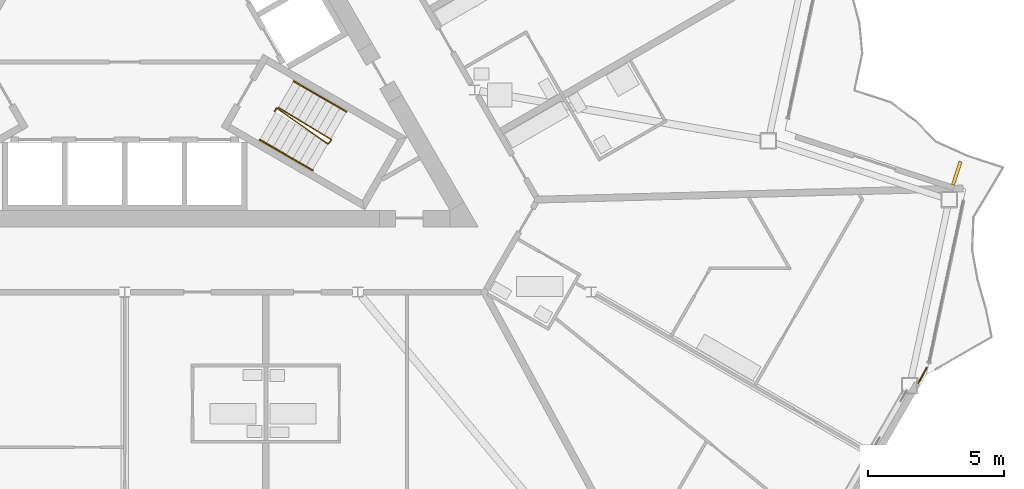
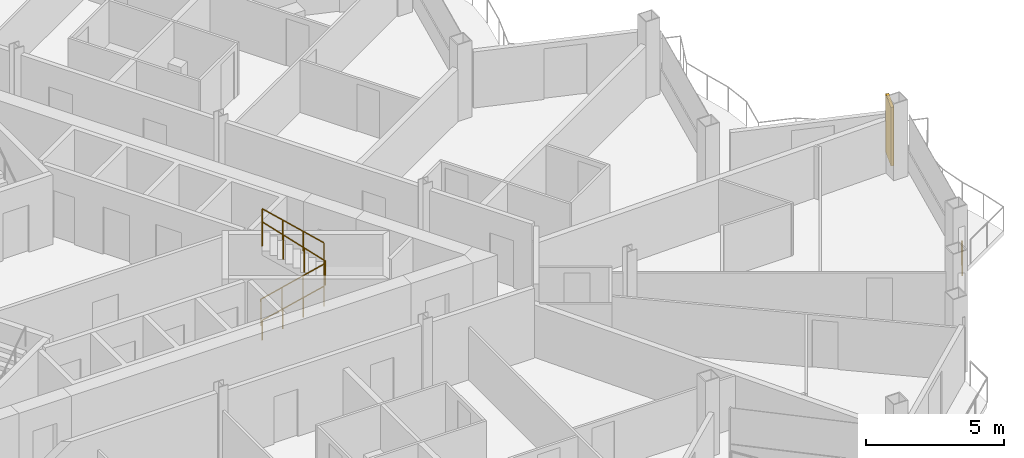
# One storey, part 24 of 28: 4 railings, 1 shading device.
"""IFC4 building model written with IfcOpenShell, lengths in metres."""

from ifc_helpers import new_model, si_unit, direction, frame, origin, origin_2d, place, context, subcontext, project, spatial, rectangle, circle, extrude, material, layer, layer_set, type_object, element, save


model = new_model("IFC4")

# Units and contexts
model_context = context("Model", 3, precision=1e-05, world=origin(), true_north=direction((0.0, 1.0)))
body_context = subcontext(model_context, "Body", "Model", "MODEL_VIEW")
ifc_project = project(units=[si_unit("LENGTHUNIT", "METRE"), si_unit("AREAUNIT", "SQUARE_METRE"), si_unit("VOLUMEUNIT", "CUBIC_METRE"), si_unit("PLANEANGLEUNIT", "RADIAN"), si_unit("MASSUNIT", "GRAM", prefix="KILO")], contexts=[model_context])

# Site, building, storey
site_placement = place(None, origin())
site = spatial("IfcSite", under=ifc_project, at=site_placement, CompositionType="ELEMENT")
building_placement = place(site_placement, origin())
building = spatial("IfcBuilding", under=site, at=building_placement, Name="Cormorant Prow Tower", CompositionType="ELEMENT")
storey_placement = place(building_placement, frame((0.0, 0.0, 305.199951171875)))
storey = spatial("IfcBuildingStorey", under=building, at=storey_placement, Name="L66", CompositionType="ELEMENT", Elevation=305.199951171875)

# Railings
ifc_material_1 = material(Name="Stainless steel", Category="steel")
railing_type_1 = type_object("IfcRailingType", Name="Facade corner guard 1100", PredefinedType="GUARDRAIL", material=ifc_material_1)
railing_1_placement = place(storey_placement, frame((29.5, -12.68505859375, 0.0)))
element("IfcRailing", 1, at=railing_1_placement, inside=storey, type_object=railing_type_1, Name="Facade corner guard L66 3", PredefinedType="GUARDRAIL", context=body_context, shape_type="SweptSolid", body=[
    extrude(circle(Radius=0.02392578125, at=origin_2d()), frame((0.0, 0.0, 1.076171875), z_axis=(-0.47945895364, -0.877564306347, 0.0), x_axis=(0.877564306347, -0.47945895364, 0.0)), (0.0, 0.0, 1.0), 0.648193359375),
    extrude(circle(Radius=0.02099609375, at=origin_2d()), origin(), (0.0, 0.0, 1.0), 1.052001953125),
    extrude(circle(Radius=0.02099609375, at=origin_2d()), frame((-0.310791015625, -0.56884765625, 0.0)), (0.0, 0.0, 1.0), 1.052001953125),
])
ifc_material_2 = material(Name="Stainless steel", Category="steel")
railing_type_2 = type_object("IfcRailingType", Name="Stair guard 1100", PredefinedType="GUARDRAIL", material=ifc_material_2)
railing_2_placement = place(storey_placement, frame((5.510009765625, -3.267822265625, 0.0)))
element("IfcRailing", 2, at=railing_2_placement, inside=storey, type_object=railing_type_2, Name="L66 ST2 stair guard 1", PredefinedType="GUARDRAIL", context=body_context, shape_type="SweptSolid", body=[
    extrude(circle(Radius=0.02392578125, at=origin_2d()), frame((0.0, 0.0, 1.076171875), z_axis=(0.501036270542, 0.865426285481, 0.0), x_axis=(-0.865426285481, 0.501036270542, 0.0)), (0.0, 0.0, 1.0), 0.150146484375),
    extrude(circle(Radius=0.02392578125, at=origin_2d()), frame((0.0751953125, 0.1298828125, 1.076171875), z_axis=(0.658670593711, -0.461060875852, 0.594622500196), x_axis=(0.573455215813, 0.819236910458, 0.0)), (0.0, 0.0, 1.0), 2.85888671875),
    extrude(circle(Radius=0.02392578125, at=origin_2d()), frame((1.958251953125, -1.188232421875, 2.77587890625), z_axis=(0.695164929852, 0.718850276695, 0.0), x_axis=(-0.718850276695, 0.695164929852, 0.0)), (0.0, 0.0, 1.0), 0.2060546875),
    extrude(circle(Radius=0.02392578125, at=origin_2d()), frame((2.1015625, -1.0400390625, 2.77587890625), z_axis=(-0.686480346808, 0.416544052851, 0.596016598326), x_axis=(-0.518752825935, -0.854924268918, 0.0)), (0.0, 0.0, 1.0), 2.8525390625),
    extrude(circle(Radius=0.02099609375, at=origin_2d()), origin(), (0.0, 0.0, 1.0), 1.052001953125),
    extrude(circle(Radius=0.02099609375, at=origin_2d()), frame((0.0751953125, 0.1298828125, 0.0)), (0.0, 0.0, 1.0), 1.052001953125),
    extrude(circle(Radius=0.02099609375, at=origin_2d()), frame((0.702880859375, -0.3095703125, 0.566650390625)), (0.0, 0.0, 1.0), 1.052001953125),
    extrude(circle(Radius=0.02099609375, at=origin_2d()), frame((1.33056640625, -0.748779296875, 1.13330078125)), (0.0, 0.0, 1.0), 1.052001953125),
    extrude(circle(Radius=0.02099609375, at=origin_2d()), frame((1.958251953125, -1.188232421875, 1.699951171875)), (0.0, 0.0, 1.0), 1.052001953125),
    extrude(circle(Radius=0.02099609375, at=origin_2d()), frame((2.1015625, -1.0400390625, 1.699951171875)), (0.0, 0.0, 1.0), 1.052001953125),
    extrude(circle(Radius=0.02099609375, at=origin_2d()), frame((1.44873046875, -0.64404296875, 2.2666015625)), (0.0, 0.0, 1.0), 1.052001953125),
    extrude(circle(Radius=0.02099609375, at=origin_2d()), frame((0.796142578125, -0.247802734375, 2.83349609375)), (0.0, 0.0, 1.0), 1.052001953125),
    extrude(circle(Radius=0.02099609375, at=origin_2d()), frame((0.143310546875, 0.148193359375, 3.400146484375)), (0.0, 0.0, 1.0), 1.052001953125),
])
ifc_material_3 = material(Name="Stainless steel", Category="steel")
railing_type_3 = type_object("IfcRailingType", Name="Stair handrail 900", PredefinedType="HANDRAIL", material=ifc_material_3)
railing_3_placement = place(storey_placement, frame((4.968994140625, -4.30517578125, 0.18896484375)))
element("IfcRailing", 3, at=railing_3_placement, inside=storey, type_object=railing_type_3, Name="L66 ST2 stair handrail 1", PredefinedType="HANDRAIL", context=body_context, shape_type="SweptSolid", body=[
    extrude(circle(Radius=0.02392578125, at=origin_2d()), frame((0.0, 0.0, 0.8759765625), z_axis=(0.71790592183, -0.414569209485, 0.559234707389), x_axis=(0.500077830873, 0.865980463445, 0.0)), (0.0, 0.0, 1.0), 2.701904296875),
    extrude(circle(Radius=0.02099609375, at=origin_2d()), origin(), (0.0, 0.0, 1.0), 0.851806640625),
    extrude(circle(Radius=0.02099609375, at=origin_2d()), frame((0.646484375, -0.373291015625, 0.503662109375)), (0.0, 0.0, 1.0), 0.851806640625),
    extrude(circle(Radius=0.02099609375, at=origin_2d()), frame((1.293212890625, -0.746826171875, 1.00732421875)), (0.0, 0.0, 1.0), 0.851806640625),
    extrude(circle(Radius=0.02099609375, at=origin_2d()), frame((1.939697265625, -1.1201171875, 1.510986328125)), (0.0, 0.0, 1.0), 0.851806640625),
])
railing_4_placement = place(storey_placement, frame((8.15283203125, -3.2705078125, 1.888916015625)))
element("IfcRailing", 4, at=railing_4_placement, inside=storey, type_object=railing_type_3, Name="L66 ST2 stair handrail 2", PredefinedType="HANDRAIL", context=body_context, shape_type="SweptSolid", body=[
    extrude(circle(Radius=0.02392578125, at=origin_2d()), frame((0.0, 0.0, 0.8759765625), z_axis=(-0.717940317343, 0.414446543626, 0.55928147047), x_axis=(-0.49994888933, -0.866054910533, 0.0)), (0.0, 0.0, 1.0), 2.7021484375),
    extrude(circle(Radius=0.02099609375, at=origin_2d()), origin(), (0.0, 0.0, 1.0), 0.851806640625),
    extrude(circle(Radius=0.02099609375, at=origin_2d()), frame((-0.646728515625, 0.373291015625, 0.503662109375)), (0.0, 0.0, 1.0), 0.851806640625),
    extrude(circle(Radius=0.02099609375, at=origin_2d()), frame((-1.293212890625, 0.74658203125, 1.007568359375)), (0.0, 0.0, 1.0), 0.851806640625),
    extrude(circle(Radius=0.02099609375, at=origin_2d()), frame((-1.93994140625, 1.119873046875, 1.51123046875)), (0.0, 0.0, 1.0), 0.851806640625),
])

# Shading device
ifc_material_4 = material(Name="Terracotta", Category="masonry")
ifc_layer = layer(ifc_material_4, 0.1201171875)
ifc_layer_set = layer_set([ifc_layer], Name="Terracotta")
shading_device_type = type_object("IfcShadingDeviceType", Name="Terracotta baguette fin 120x900x2600", PredefinedType="USERDEFINED", material=ifc_layer_set)
shading_device_placement = place(storey_placement, frame((30.600830078125, -5.536865234375, 0.0), z_axis=(0.0, 0.0, 1.0), x_axis=(-0.951056557274, 0.309016868255, 0.0)))
element("IfcShadingDevice", 5, at=shading_device_placement, inside=storey, type_object=shading_device_type, Name="Baguette fin ENE01", ObjectType="BAGUETTE", PredefinedType="USERDEFINED", context=body_context, shape_type="SweptSolid", body=[
    extrude(rectangle(XDim=0.1201171875, YDim=0.89990234375, at=origin_2d()), origin(), (0.0, 0.0, 1.0), 2.60009765625),
])

save(model, "model.ifc")
